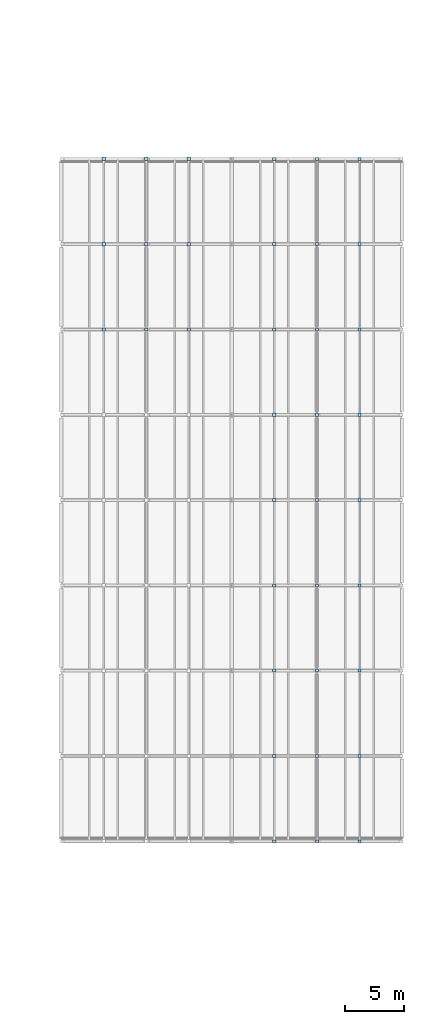
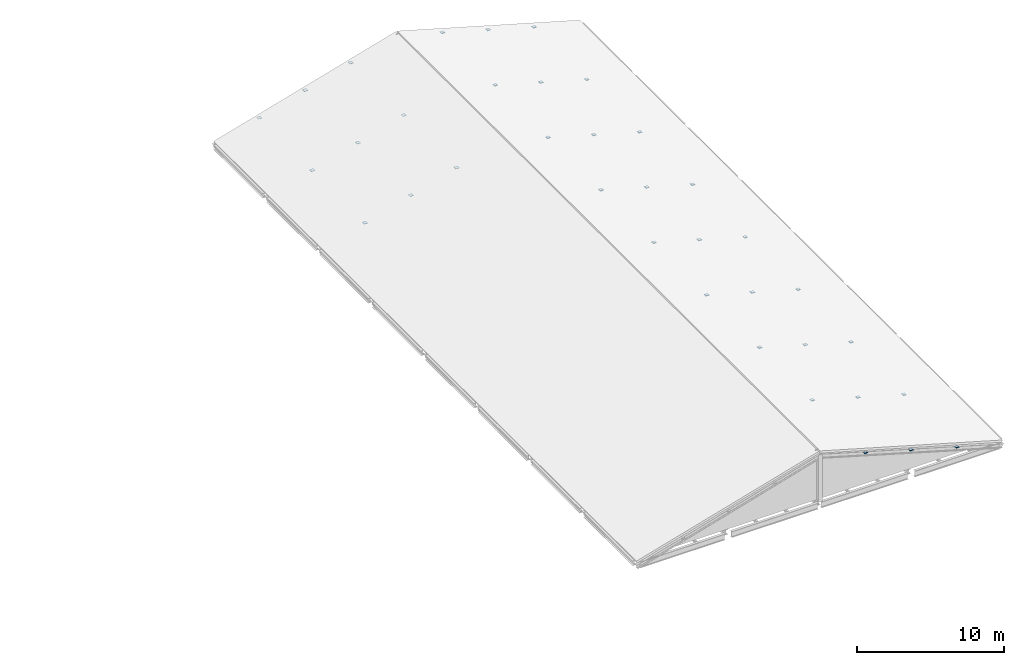
# One storey, part 22 of 32: 36 plates.
"""IFC4 building model written with IfcOpenShell, lengths in metres."""

from ifc_helpers import new_model, si_unit, direction, frame, origin, origin_2d, place, context, subcontext, project, spatial, rectangle, extrude, material, layer, layer_set, type_object, element, save


model = new_model("IFC4")

# Units and contexts
model_context = context("Model", 3, precision=1e-05, world=origin(), true_north=direction((0.0, 1.0)))
body_context = subcontext(model_context, "Body", "Model", "MODEL_VIEW")
ifc_project = project(units=[si_unit("LENGTHUNIT", "METRE"), si_unit("AREAUNIT", "SQUARE_METRE"), si_unit("VOLUMEUNIT", "CUBIC_METRE"), si_unit("PLANEANGLEUNIT", "RADIAN"), si_unit("MASSUNIT", "GRAM", prefix="KILO")], contexts=[model_context])

# Site, building, storey
site_placement = place(None, origin())
site = spatial("IfcSite", under=ifc_project, at=site_placement, CompositionType="ELEMENT")
building_placement = place(site_placement, origin())
building = spatial("IfcBuilding", under=site, at=building_placement, Name="Qiaolan Assembly House", CompositionType="ELEMENT")
storey_placement = place(building_placement, frame((0.0, 0.0, 18.60009765625)))
storey = spatial("IfcBuildingStorey", under=building, at=storey_placement, Name="L04", CompositionType="ELEMENT", Elevation=18.60009765625)

# Plates
ifc_material = material(Name="Steel Q355B", Category="steel")
ifc_layer = layer(ifc_material, 0.02001953125)
ifc_layer_set = layer_set([ifc_layer], Name="Steel Q355B")
plate_type = type_object("IfcPlateType", Name="PLT-CAP-STL-20", PredefinedType="SHEET", material=ifc_layer_set)
for number, where, z_axis, x_axis, name in (
    (1, (147.60009765625, 72.0, 0.690185546875), (0.0, 0.0, 1.0), (1.0, 0.0, 0.0), "NP-04 steel hollow-section seal cap plate 253"),
    (2, (147.60009765625, 79.199951171875, 0.690185546875), (0.0, 0.0, 1.0), (1.0, 0.0, 0.0), "NP-04 steel hollow-section seal cap plate 254"),
    (3, (147.60009765625, 86.39990234375, 0.690185546875), (0.0, 0.0, 1.0), (1.0, 0.0, 0.0), "NP-04 steel hollow-section seal cap plate 255"),
    (4, (151.199951171875, 72.0, 1.722412109375), (0.0, 0.0, 1.0), (1.0, 0.0, 0.0), "NP-04 steel hollow-section seal cap plate 262"),
    (5, (151.199951171875, 79.199951171875, 1.722412109375), (0.0, 0.0, 1.0), (1.0, 0.0, 0.0), "NP-04 steel hollow-section seal cap plate 263"),
    (6, (151.199951171875, 86.39990234375, 1.722412109375), (0.0, 0.0, 1.0), (1.0, 0.0, 0.0), "NP-04 steel hollow-section seal cap plate 264"),
    (7, (154.800048828125, 72.0, 2.754638671875), (0.0, 0.0, 1.0), (1.0, 0.0, 0.0), "NP-04 steel hollow-section seal cap plate 271"),
    (8, (154.800048828125, 79.199951171875, 2.754638671875), (0.0, 0.0, 1.0), (1.0, 0.0, 0.0), "NP-04 steel hollow-section seal cap plate 272"),
    (9, (154.800048828125, 86.39990234375, 2.754638671875), (0.0, 0.0, 1.0), (1.0, 0.0, 0.0), "NP-04 steel hollow-section seal cap plate 273"),
):
    element("IfcPlate", number, at=place(storey_placement, frame(where, z_axis=z_axis, x_axis=x_axis)), inside=storey, type_object=plate_type, Name=name, PredefinedType="SHEET", context=body_context, shape_type="SweptSolid", body=[
        extrude(rectangle(XDim=0.2900390625, YDim=0.2900390625, at=origin_2d()), origin(), (0.0, 0.0, 1.0), 0.02001953125),
    ])
for number, where, z_axis, x_axis, name in (
    (10, (162.0, 28.800048828125, 2.754638671875), (0.0, 0.0, 1.0), (1.0, 0.0, 0.0), "NP-04 steel hollow-section seal cap plate 274"),
    (11, (162.0, 36.0, 2.754638671875), (0.0, 0.0, 1.0), (1.0, 0.0, 0.0), "NP-04 steel hollow-section seal cap plate 275"),
    (12, (162.0, 43.199951171875, 2.754638671875), (0.0, 0.0, 1.0), (1.0, 0.0, 0.0), "NP-04 steel hollow-section seal cap plate 276"),
    (13, (162.0, 50.39990234375, 2.754638671875), (0.0, 0.0, 1.0), (1.0, 0.0, 0.0), "NP-04 steel hollow-section seal cap plate 277"),
    (14, (162.0, 57.60009765625, 2.754638671875), (0.0, 0.0, 1.0), (1.0, 0.0, 0.0), "NP-04 steel hollow-section seal cap plate 278"),
    (15, (162.0, 64.800048828125, 2.754638671875), (0.0, 0.0, 1.0), (1.0, 0.0, 0.0), "NP-04 steel hollow-section seal cap plate 279"),
    (16, (162.0, 72.0, 2.754638671875), (0.0, 0.0, 1.0), (1.0, 0.0, 0.0), "NP-04 steel hollow-section seal cap plate 280"),
    (17, (162.0, 79.199951171875, 2.754638671875), (0.0, 0.0, 1.0), (1.0, 0.0, 0.0), "NP-04 steel hollow-section seal cap plate 281"),
    (18, (162.0, 86.39990234375, 2.754638671875), (0.0, 0.0, 1.0), (1.0, 0.0, 0.0), "NP-04 steel hollow-section seal cap plate 282"),
    (19, (165.60009765625, 28.800048828125, 1.722412109375), (0.0, 0.0, 1.0), (1.0, 0.0, 0.0), "NP-04 steel hollow-section seal cap plate 283"),
    (20, (165.60009765625, 36.0, 1.722412109375), (0.0, 0.0, 1.0), (1.0, 0.0, 0.0), "NP-04 steel hollow-section seal cap plate 284"),
    (21, (165.60009765625, 43.199951171875, 1.722412109375), (0.0, 0.0, 1.0), (1.0, 0.0, 0.0), "NP-04 steel hollow-section seal cap plate 285"),
    (22, (165.60009765625, 50.39990234375, 1.722412109375), (0.0, 0.0, 1.0), (1.0, 0.0, 0.0), "NP-04 steel hollow-section seal cap plate 286"),
    (23, (165.60009765625, 57.60009765625, 1.722412109375), (0.0, 0.0, 1.0), (1.0, 0.0, 0.0), "NP-04 steel hollow-section seal cap plate 287"),
    (24, (165.60009765625, 64.800048828125, 1.722412109375), (0.0, 0.0, 1.0), (1.0, 0.0, 0.0), "NP-04 steel hollow-section seal cap plate 288"),
    (25, (165.60009765625, 72.0, 1.722412109375), (0.0, 0.0, 1.0), (1.0, 0.0, 0.0), "NP-04 steel hollow-section seal cap plate 289"),
    (26, (165.60009765625, 79.199951171875, 1.722412109375), (0.0, 0.0, 1.0), (1.0, 0.0, 0.0), "NP-04 steel hollow-section seal cap plate 290"),
    (27, (165.60009765625, 86.39990234375, 1.722412109375), (0.0, 0.0, 1.0), (1.0, 0.0, 0.0), "NP-04 steel hollow-section seal cap plate 291"),
    (28, (169.199951171875, 28.800048828125, 0.690185546875), (0.0, 0.0, 1.0), (1.0, 0.0, 0.0), "NP-04 steel hollow-section seal cap plate 292"),
    (29, (169.199951171875, 36.0, 0.690185546875), (0.0, 0.0, 1.0), (1.0, 0.0, 0.0), "NP-04 steel hollow-section seal cap plate 293"),
    (30, (169.199951171875, 43.199951171875, 0.690185546875), (0.0, 0.0, 1.0), (1.0, 0.0, 0.0), "NP-04 steel hollow-section seal cap plate 294"),
    (31, (169.199951171875, 50.39990234375, 0.690185546875), (0.0, 0.0, 1.0), (1.0, 0.0, 0.0), "NP-04 steel hollow-section seal cap plate 295"),
    (32, (169.199951171875, 57.60009765625, 0.690185546875), (0.0, 0.0, 1.0), (1.0, 0.0, 0.0), "NP-04 steel hollow-section seal cap plate 296"),
    (33, (169.199951171875, 64.800048828125, 0.690185546875), (0.0, 0.0, 1.0), (1.0, 0.0, 0.0), "NP-04 steel hollow-section seal cap plate 297"),
    (34, (169.199951171875, 72.0, 0.690185546875), (0.0, 0.0, 1.0), (1.0, 0.0, 0.0), "NP-04 steel hollow-section seal cap plate 298"),
    (35, (169.199951171875, 79.199951171875, 0.690185546875), (0.0, 0.0, 1.0), (1.0, 0.0, 0.0), "NP-04 steel hollow-section seal cap plate 299"),
    (36, (169.199951171875, 86.39990234375, 0.690185546875), (0.0, 0.0, 1.0), (1.0, 0.0, 0.0), "NP-04 steel hollow-section seal cap plate 300"),
):
    element("IfcPlate", number, at=place(storey_placement, frame(where, z_axis=z_axis, x_axis=x_axis)), inside=storey, type_object=plate_type, Name=name, PredefinedType="SHEET", context=body_context, shape_type="SweptSolid", body=[
        extrude(rectangle(XDim=0.260009765625, YDim=0.260009765625, at=origin_2d()), origin(), (0.0, 0.0, 1.0), 0.02001953125),
    ])

save(model, "model.ifc")
